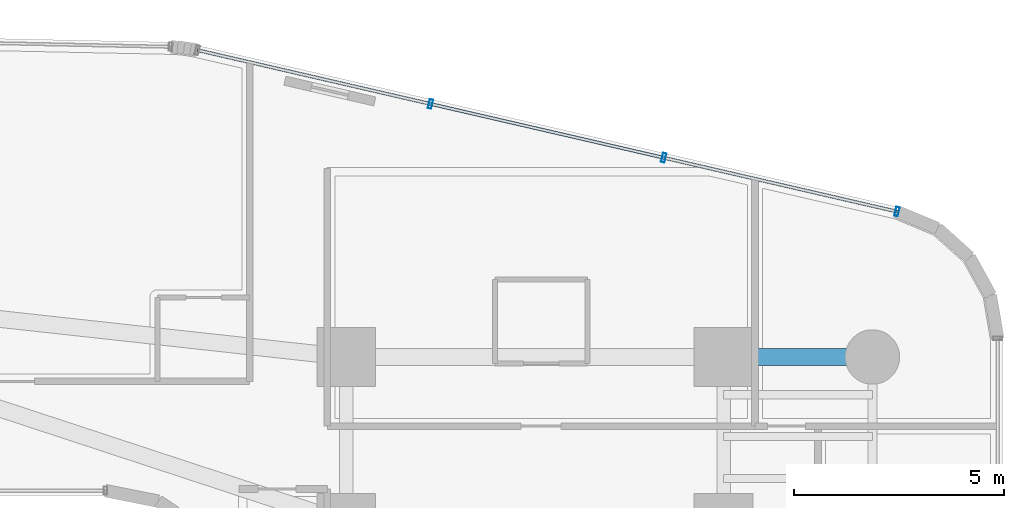
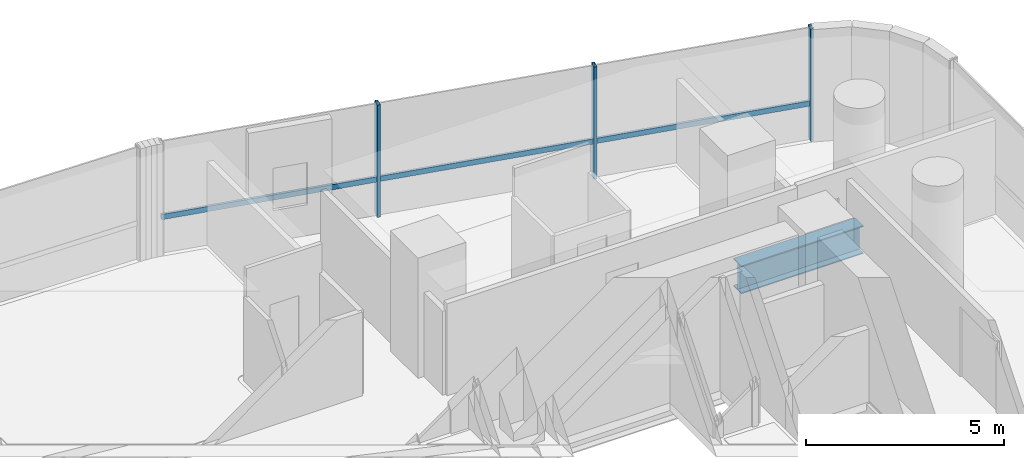
# One storey, part 24 of 40: 4 members, 1 beam, 1 element without a shape of its own.
"""IFC4 building model written with IfcOpenShell, lengths in metres."""

import ifcopenshell
import ifcopenshell.guid

model = None  # the IFC model being written
_history = None  # IfcOwnerHistory: only IFC2X3 demands one
_inside = {}  # id of a spatial element -> (the spatial element, [elements in it])
_under = {}  # id of a project, library or spatial element -> (it, [spatial elements below it])
_declared = {}  # id of a project -> (the project, [libraries it declares])
_typed = {}  # id of a type object -> (the type object, [elements of that type])
_made_of = {}  # id of a material, layer set ... -> (it, [elements and type objects made of it])


def new_model(schema):
    """Start an empty IFC model of exactly this schema.

    Asked for "IFC4X3", IfcOpenShell would pick the latest addendum, in which some entities
    have other attributes; the version numbers below select the first issue.
    IFC2X3 requires an IfcOwnerHistory on every rooted entity: one is made here for all.
    """
    global model, _history
    if schema == "IFC4X3":
        model = ifcopenshell.file(schema_version=(4, 3, 0, 0))
    else:
        model = ifcopenshell.file(schema=schema)
    _inside.clear()
    _under.clear()
    _declared.clear()
    _typed.clear()
    _made_of.clear()
    _history = None
    if model.schema == "IFC2X3":
        org = make("IfcOrganization", Name="unknown")
        user = make(
            "IfcPersonAndOrganization",
            ThePerson=make("IfcPerson", FamilyName="unknown"),
            TheOrganization=org,
        )
        app = make(
            "IfcApplication",
            ApplicationDeveloper=org,
            Version="unknown",
            ApplicationFullName="unknown",
            ApplicationIdentifier="unknown",
        )
        _history = make(
            "IfcOwnerHistory",
            OwningUser=user,
            OwningApplication=app,
            ChangeAction="ADDED",
            CreationDate=0,
        )
    return model


def make(cls, **values):
    """One entity of the class cls with the attributes given. An attribute that is None is left unset."""
    return model.create_entity(
        cls, **{name: value for name, value in values.items() if value is not None}
    )


def rooted(cls, **values):
    """An entity with a GlobalId (a new one), such as an element, a storey or a relation."""
    return make(cls, GlobalId=ifcopenshell.guid.new(), OwnerHistory=_history, **values)


def si_unit(unit_type, name, prefix=None):
    """IfcSIUnit, for example si_unit("LENGTHUNIT", "METRE", prefix="MILLI")."""
    return make("IfcSIUnit", UnitType=unit_type, Prefix=prefix, Name=name)


def assignment(units):
    """IfcUnitAssignment: the units of a project."""
    return None if units is None else make("IfcUnitAssignment", Units=units)


def point(xyz):
    """IfcCartesianPoint."""
    return None if xyz is None else make("IfcCartesianPoint", Coordinates=xyz)


def direction(xyz):
    """IfcDirection."""
    return None if xyz is None else make("IfcDirection", DirectionRatios=xyz)


def frame(location, z_axis=None, x_axis=None):
    """IfcAxis2Placement3D, a coordinate frame: its origin and axes. An axis left out is left unset."""
    return make(
        "IfcAxis2Placement3D",
        Location=point(location),
        Axis=direction(z_axis),
        RefDirection=direction(x_axis),
    )


def frame_2d(location, x_axis=None):
    """IfcAxis2Placement2D, a coordinate frame in the plane: its origin and x axis."""
    return make(
        "IfcAxis2Placement2D", Location=point(location), RefDirection=direction(x_axis)
    )


def origin():
    """The frame at (0, 0, 0) with its axes left unset."""
    return frame((0.0, 0.0, 0.0))


def origin_2d():
    """The frame at (0, 0) in the plane with its x axis left unset."""
    return frame_2d((0.0, 0.0))


def place(relative_to, where):
    """IfcLocalPlacement: puts the frame where relative to a parent placement (None: the world)."""
    return make(
        "IfcLocalPlacement", PlacementRelTo=relative_to, RelativePlacement=where
    )


def context(
    kind, dimensions, precision=None, world=None, true_north=None, identifier=None
):
    """IfcGeometricRepresentationContext, for example the 3D "Model" context."""
    return make(
        "IfcGeometricRepresentationContext",
        ContextIdentifier=identifier,
        ContextType=kind,
        CoordinateSpaceDimension=dimensions,
        Precision=precision,
        WorldCoordinateSystem=world,
        TrueNorth=true_north,
    )


def subcontext(parent, identifier, kind, view, scale=None):
    """IfcGeometricRepresentationSubContext, for example "Body" below "Model"."""
    return make(
        "IfcGeometricRepresentationSubContext",
        ContextIdentifier=identifier,
        ContextType=kind,
        ParentContext=parent,
        TargetScale=scale,
        TargetView=view,
    )


def project(units=None, contexts=None):
    """IfcProject with its units and contexts."""
    return rooted(
        "IfcProject",
        Name="project",
        RepresentationContexts=contexts,
        UnitsInContext=assignment(units),
    )


def spatial(cls, under=None, at=None, **own):
    """A site, building, storey or space (cls), placed at a placement, below another one or the project."""
    s = rooted(cls, ObjectPlacement=at, **own)
    if under is not None:
        _under.setdefault(under.id(), (under, []))[1].append(s)
    return s


def profile(cls, at=None, kind="AREA", **sizes):
    """A parametric profile (cls). Its sizes go by their IFC names, for example OverallWidth=200.0."""
    return make(cls, ProfileType=kind, Position=at, **sizes)


def hollow_rectangle(**sizes):
    """IfcRectangleHollowProfileDef."""
    return profile("IfcRectangleHollowProfileDef", **sizes)


def i_section(**sizes):
    """IfcIShapeProfileDef."""
    return profile("IfcIShapeProfileDef", **sizes)


def extrude(swept, where, along, depth):
    """IfcExtrudedAreaSolid: the profile swept, set in the frame where, extruded along a direction by depth."""
    return make(
        "IfcExtrudedAreaSolid",
        SweptArea=swept,
        Position=where,
        ExtrudedDirection=direction(along),
        Depth=depth,
    )


def shape(context_of_items, identifier, shape_type, items):
    """IfcShapeRepresentation: the items that make up one representation, for example the "Body"."""
    return make(
        "IfcShapeRepresentation",
        ContextOfItems=context_of_items,
        RepresentationIdentifier=identifier,
        RepresentationType=shape_type,
        Items=items,
    )


def source(mapping_origin, context_of_items, identifier, shape_type, items):
    """IfcRepresentationMap: a shape defined once, which mapped items show again and again."""
    return make(
        "IfcRepresentationMap",
        MappingOrigin=mapping_origin,
        MappedRepresentation=shape(context_of_items, identifier, shape_type, items),
    )


def transform(
    local_origin,
    x_axis=None,
    y_axis=None,
    z_axis=None,
    scale=None,
    scale2=None,
    scale3=None,
    uniform=True,
):
    """IfcCartesianTransformationOperator3D, or its non-uniform kind. x_axis, y_axis, z_axis: its Axis1, 2, 3."""
    if uniform:
        return make(
            "IfcCartesianTransformationOperator3D",
            Axis1=direction(x_axis),
            Axis2=direction(y_axis),
            LocalOrigin=point(local_origin),
            Scale=scale,
            Axis3=direction(z_axis),
        )
    return make(
        "IfcCartesianTransformationOperator3DnonUniform",
        Axis1=direction(x_axis),
        Axis2=direction(y_axis),
        LocalOrigin=point(local_origin),
        Scale=scale,
        Axis3=direction(z_axis),
        Scale2=scale2,
        Scale3=scale3,
    )


def mapped(mapping_source, mapping_target):
    """IfcMappedItem: shows the shape of a source again, moved by a transform."""
    return make(
        "IfcMappedItem", MappingSource=mapping_source, MappingTarget=mapping_target
    )


def material(Name=None, Category=None):
    """IfcMaterial."""
    return make("IfcMaterial", Name=Name, Category=Category)


def material_profile(
    of_material, cross_section, Name=None, Category=None, Priority=None
):
    """IfcMaterialProfile: a cross section and its material."""
    return make(
        "IfcMaterialProfile",
        Name=Name,
        Material=of_material,
        Profile=cross_section,
        Priority=Priority,
        Category=Category,
    )


def profile_set(profiles, Name=None, composite=None):
    """IfcMaterialProfileSet."""
    return make(
        "IfcMaterialProfileSet",
        Name=Name,
        MaterialProfiles=profiles,
        CompositeProfile=composite,
    )


def made_of(thing, what):
    """Note that an element or type object is made of a material, layer set ...; save() writes the relation."""
    if what is not None:
        _made_of.setdefault(what.id(), (what, []))[1].append(thing)
    return thing


def type_object(cls, material=None, **own):
    """A type object (cls), such as IfcWallType, which elements share."""
    return made_of(rooted(cls, **own), material)


def element(
    cls,
    number,
    at=None,
    inside=None,
    cuts=None,
    type_object=None,
    material=None,
    context=None,
    identifier="Body",
    shape_type=None,
    held_by="IfcProductDefinitionShape",
    body=None,
    shapes=None,
    **own,
):
    """One element of the class cls, such as IfcWall. Its Tag is "e" and its number.

    at: its placement. inside: the storey or other place that contains it. cuts: it is an
    opening in that element (IfcRelVoidsElement). A single representation is given by context,
    identifier, shape_type and body (its items); several are given by shapes. held_by: the class
    of the entity that holds the representations. save() writes the other relations.
    """
    e = rooted(cls, Tag="e%d" % number, ObjectPlacement=at, **own)
    if body is not None:
        shapes = [shape(context, identifier, shape_type, body)]
    if shapes is not None:
        e.Representation = make(held_by, Representations=shapes)
    if inside is not None:
        _inside.setdefault(inside.id(), (inside, []))[1].append(e)
    if cuts is not None:
        rooted(
            "IfcRelVoidsElement", RelatingBuildingElement=cuts, RelatedOpeningElement=e
        )
    if type_object is not None:
        _typed.setdefault(type_object.id(), (type_object, []))[1].append(e)
    return made_of(e, material)


def aggregate(whole, parts):
    """IfcRelAggregates: a whole, such as a stair, and the parts it consists of."""
    return rooted("IfcRelAggregates", RelatingObject=whole, RelatedObjects=parts)


def save(model, path):
    """Write the relations noted so far, then the file.

    IfcRelAggregates (storeys below a building ...), IfcRelContainedInSpatialStructure (elements
    in a storey), IfcRelDefinesByType, IfcRelAssociatesMaterial and IfcRelDeclares: one each for
    every whole, place, type object, material and project.
    """
    for whole, parts in _under.values():
        aggregate(whole, parts)
    for where, things in _inside.values():
        rooted(
            "IfcRelContainedInSpatialStructure",
            RelatedElements=things,
            RelatingStructure=where,
        )
    for kind, things in _typed.values():
        rooted("IfcRelDefinesByType", RelatedObjects=things, RelatingType=kind)
    for what, things in _made_of.values():
        rooted("IfcRelAssociatesMaterial", RelatedObjects=things, RelatingMaterial=what)
    for by, libraries in _declared.values():
        rooted("IfcRelDeclares", RelatingContext=by, RelatedDefinitions=libraries)
    model.write(path)


model = new_model("IFC4")

# Units and contexts
model_context = context("Model", 3, precision=1e-05, world=origin(), true_north=direction((0.0, 1.0)))
body_context = subcontext(model_context, "Body", "Model", "MODEL_VIEW")
ifc_project = project(units=[si_unit("LENGTHUNIT", "METRE"), si_unit("AREAUNIT", "SQUARE_METRE"), si_unit("VOLUMEUNIT", "CUBIC_METRE"), si_unit("PLANEANGLEUNIT", "RADIAN"), si_unit("MASSUNIT", "GRAM", prefix="KILO")], contexts=[model_context])

# Site, building, storey
site_placement = place(None, origin())
site = spatial("IfcSite", under=ifc_project, at=site_placement, CompositionType="ELEMENT")
building_placement = place(site_placement, origin())
building = spatial("IfcBuilding", under=site, at=building_placement, Name="Valdorenza Pilgrim Sanctuary Tower", CompositionType="ELEMENT")
storey_placement = place(building_placement, frame((0.0, 0.0, 92.60009765625)))
storey = spatial("IfcBuildingStorey", under=building, at=storey_placement, Name="L23", CompositionType="ELEMENT", Elevation=92.60009765625)

# Beam
ifc_material_1 = material(Name="Steel ASTM A992 Grade 50", Category="steel")
ifc_material_profile_1 = material_profile(ifc_material_1, i_section(OverallWidth=0.39990234375, OverallDepth=0.862060546875, WebThickness=0.019775390625, FlangeThickness=0.032470703125, at=origin_2d()), Name="W33X221")
ifc_profile_set_1 = profile_set([ifc_material_profile_1], Name="Steel ASTM A992 Grade 50")
beam_type = type_object("IfcBeamType", Name="STR-BM-GRD-W33", PredefinedType="BEAM", material=ifc_profile_set_1)
shared_shape_1 = source(origin(), body_context, "Body", "SweptSolid", [
    extrude(i_section(OverallWidth=0.39990234375, OverallDepth=0.862060546875, WebThickness=0.019775390625, FlangeThickness=0.032470703125, at=origin_2d()), origin(), (0.0, 0.0, 1.0), 3.5498046875),
])
beam_placement = place(storey_placement, frame((24.85009765625, 13.5, -0.671142578125), z_axis=(1.0, 0.0, 0.0), x_axis=(0.0, 1.0, 0.0)))
element("IfcBeam", 1, at=beam_placement, inside=storey, type_object=beam_type, Name="L23 Floor Girder WB-XE-N2", PredefinedType="BEAM", context=body_context, shape_type="MappedRepresentation", body=[
    mapped(shared_shape_1, transform((0.0, 0.0, 0.0), x_axis=(1.0, 0.0, 0.0), y_axis=(0.0, 1.0, 0.0), z_axis=(0.0, 0.0, 1.0), scale=1.0)),
])

# Curtain wall, members
ifc_material_2 = material(Name="Curtain-wall IGU glazing", Category="glass")
curtain_wall_type = type_object("IfcCurtainWallType", Name="CW-SYS-03", PredefinedType="NOTDEFINED", material=ifc_material_2)
curtain_wall_placement = place(storey_placement, origin())
curtain_wall = element("IfcCurtainWall", 2, at=curtain_wall_placement, inside=storey, type_object=curtain_wall_type, Name="L23 Curtain Wall CW-L23-1-16", PredefinedType="NOTDEFINED")
ifc_material_3 = material(Name="Anodised aluminium AW-6060", Category="aluminium")
ifc_material_profile_2 = material_profile(ifc_material_3, hollow_rectangle(XDim=0.0849609375, YDim=0.219970703125, WallThickness=0.0048828125, at=origin_2d()), Name="ALU-M 220x85x5")
ifc_profile_set_2 = profile_set([ifc_material_profile_2], Name="Anodised aluminium AW-6060")
member_type_1 = type_object("IfcMemberType", Name="CW-MUL-03", PredefinedType="MULLION", material=ifc_profile_set_2)
shared_shape_2 = source(origin(), body_context, "Body", "SweptSolid", [
    extrude(hollow_rectangle(XDim=0.0849609375, YDim=0.219970703125, WallThickness=0.0048828125, at=origin_2d()), origin(), (0.0, 0.0, 1.0), 3.4599609375),
])
member_1_placement = place(storey_placement, frame((17.861328125, 19.534423828125, 0.0), z_axis=(0.0, 0.0, 1.0), x_axis=(0.974389691758, -0.224866023659, 0.0)))
member_1 = element("IfcMember", 3, at=member_1_placement, type_object=member_type_1, Name="CW-L23-1-16 Mullion 2", PredefinedType="MULLION", context=body_context, shape_type="MappedRepresentation", body=[
    mapped(shared_shape_2, transform((0.0, 0.0, 0.0), x_axis=(1.0, 0.0, 0.0), y_axis=(0.0, 1.0, 0.0), z_axis=(0.0, 0.0, 1.0), scale=1.0)),
])
member_2_placement = place(storey_placement, frame((23.423583984375, 18.2509765625, 0.0), z_axis=(0.0, 0.0, 1.0), x_axis=(0.974389691758, -0.224866023659, 0.0)))
member_2 = element("IfcMember", 4, at=member_2_placement, type_object=member_type_1, Name="CW-L23-1-16 Mullion 3", PredefinedType="MULLION", context=body_context, shape_type="MappedRepresentation", body=[
    mapped(shared_shape_2, transform((0.0, 0.0, 0.0), x_axis=(1.0, 0.0, 0.0), y_axis=(0.0, 1.0, 0.0), z_axis=(0.0, 0.0, 1.0), scale=1.0)),
])
member_3_placement = place(storey_placement, frame((28.98583984375, 16.96728515625, 0.0), z_axis=(0.0, 0.0, 1.0), x_axis=(0.974389691758, -0.224866023659, 0.0)))
member_3 = element("IfcMember", 5, at=member_3_placement, type_object=member_type_1, Name="CW-L23-1-16 Mullion 4", PredefinedType="MULLION", context=body_context, shape_type="MappedRepresentation", body=[
    mapped(shared_shape_2, transform((0.0, 0.0, 0.0), x_axis=(1.0, 0.0, 0.0), y_axis=(0.0, 1.0, 0.0), z_axis=(0.0, 0.0, 1.0), scale=1.0)),
])
ifc_material_profile_3 = material_profile(ifc_material_3, hollow_rectangle(XDim=0.074951171875, YDim=0.159912109375, WallThickness=0.00390625, at=origin_2d()), Name="ALU-T 160x75x4")
ifc_profile_set_3 = profile_set([ifc_material_profile_3], Name="Anodised aluminium AW-6060")
member_type_2 = type_object("IfcMemberType", Name="CW-TRN-03", PredefinedType="USERDEFINED", material=ifc_profile_set_3)
shared_shape_3 = source(origin(), body_context, "Body", "SweptSolid", [
    extrude(hollow_rectangle(XDim=0.074951171875, YDim=0.159912109375, WallThickness=0.00390625, at=origin_2d()), origin(), (0.0, 0.0, 1.0), 17.125244140625),
])
member_4_placement = place(storey_placement, frame((12.299072265625, 20.818115234375, 1.119873046875), z_axis=(0.974390715149, -0.224861589051, 0.0), x_axis=(0.224861589051, 0.974390715149, 0.0)))
member_4 = element("IfcMember", 6, at=member_4_placement, type_object=member_type_2, Name="CW-L23-1-16 Transom 1", ObjectType="TRANSOM", PredefinedType="USERDEFINED", context=body_context, shape_type="MappedRepresentation", body=[
    mapped(shared_shape_3, transform((0.0, 0.0, 0.0), x_axis=(1.0, 0.0, 0.0), y_axis=(0.0, 1.0, 0.0), z_axis=(0.0, 0.0, 1.0), scale=1.0)),
])
aggregate(curtain_wall, [member_1, member_2, member_3, member_4])

save(model, "model.ifc")
